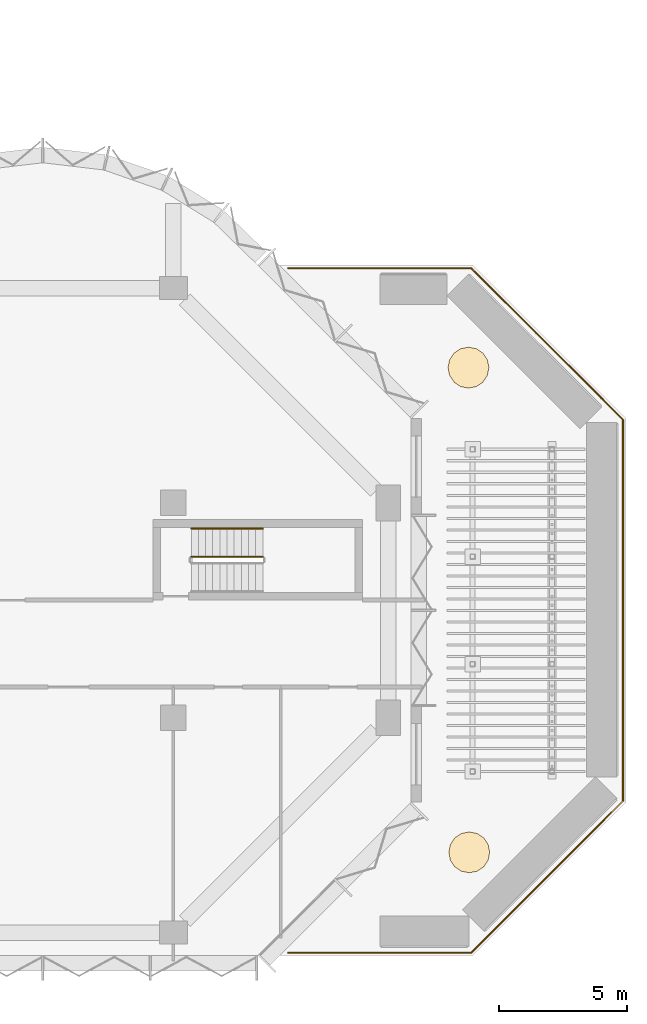
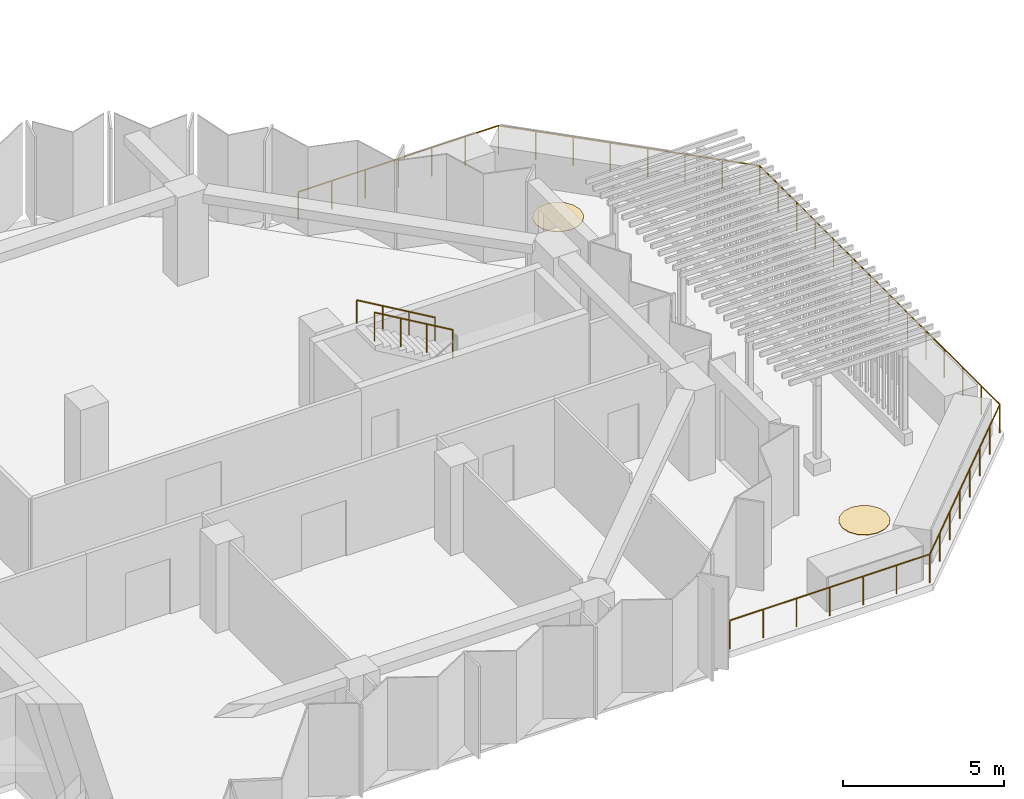
# One storey, part 14 of 14: 4 railings, 2 coverings.
"""IFC4 building model written with IfcOpenShell, lengths in metres."""

from ifc_helpers import new_model, si_unit, direction, frame, origin, origin_2d, place, context, subcontext, project, spatial, polyline, circle, outline, extrude, material, layer, layer_set, type_object, element, save


model = new_model("IFC4")

# Units and contexts
model_context = context("Model", 3, precision=1e-05, world=origin(), true_north=direction((0.0, 1.0)))
body_context = subcontext(model_context, "Body", "Model", "MODEL_VIEW")
ifc_project = project(units=[si_unit("LENGTHUNIT", "METRE"), si_unit("AREAUNIT", "SQUARE_METRE"), si_unit("VOLUMEUNIT", "CUBIC_METRE"), si_unit("PLANEANGLEUNIT", "RADIAN"), si_unit("MASSUNIT", "GRAM", prefix="KILO")], contexts=[model_context])

# Site, building, storey
site_placement = place(None, origin())
site = spatial("IfcSite", under=ifc_project, at=site_placement, CompositionType="ELEMENT")
building_placement = place(site_placement, origin())
building = spatial("IfcBuilding", under=site, at=building_placement, Name="Brevane Broadcast Tower", CompositionType="ELEMENT")
storey_placement = place(building_placement, frame((0.0, 0.0, 184.800048828125)))
storey = spatial("IfcBuildingStorey", under=building, at=storey_placement, Name="L46", CompositionType="ELEMENT", Elevation=184.800048828125)

# Railings
ifc_material_1 = material(Name="Steel S355", Category="steel")
railing_type_1 = type_object("IfcRailingType", Name="Exit stair guard", PredefinedType="GUARDRAIL", material=ifc_material_1)
railing_1_placement = place(storey_placement, frame((45.5, 14.699951171875, 1.963623046875)))
element("IfcRailing", 1, at=railing_1_placement, inside=storey, type_object=railing_type_1, Name="L46 ST-4 stair guard 3", PredefinedType="GUARDRAIL", context=body_context, shape_type="SweptSolid", body=[
    extrude(circle(Radius=0.02392578125, at=origin_2d()), frame((0.0, 0.0, 1.076171875), z_axis=(-0.863393664356, 0.0, 0.504530851732), x_axis=(0.0, -1.0, 0.0)), (0.0, 0.0, 1.0), 3.2431640625),
    extrude(circle(Radius=0.02099609375, at=origin_2d()), origin(), (0.0, 0.0, 1.0), 1.052001953125),
    extrude(circle(Radius=0.02099609375, at=origin_2d()), frame((-0.933349609375, 0.0, 0.54541015625)), (0.0, 0.0, 1.0), 1.052001953125),
    extrude(circle(Radius=0.02099609375, at=origin_2d()), frame((-1.86669921875, 0.0, 1.0908203125)), (0.0, 0.0, 1.0), 1.052001953125),
    extrude(circle(Radius=0.02099609375, at=origin_2d()), frame((-2.800048828125, 0.0, 1.63623046875)), (0.0, 0.0, 1.0), 1.052001953125),
])
railing_type_2 = type_object("IfcRailingType", Name="Exit stair handrail", PredefinedType="HANDRAIL", material=ifc_material_1)
railing_2_placement = place(storey_placement, frame((45.5, 15.800048828125, 1.963623046875)))
element("IfcRailing", 2, at=railing_2_placement, inside=storey, type_object=railing_type_2, Name="L46 ST-4 stair handrail 2", PredefinedType="HANDRAIL", context=body_context, shape_type="SweptSolid", body=[
    extrude(circle(Radius=0.02392578125, at=origin_2d()), frame((0.0, 0.0, 0.8759765625), z_axis=(-0.863393664356, 0.0, 0.504530851732), x_axis=(0.0, -1.0, 0.0)), (0.0, 0.0, 1.0), 3.2431640625),
    extrude(circle(Radius=0.02099609375, at=origin_2d()), origin(), (0.0, 0.0, 1.0), 0.851806640625),
    extrude(circle(Radius=0.02099609375, at=origin_2d()), frame((-0.933349609375, 0.0, 0.54541015625)), (0.0, 0.0, 1.0), 0.851806640625),
    extrude(circle(Radius=0.02099609375, at=origin_2d()), frame((-1.86669921875, 0.0, 1.0908203125)), (0.0, 0.0, 1.0), 0.851806640625),
    extrude(circle(Radius=0.02099609375, at=origin_2d()), frame((-2.800048828125, 0.0, 1.63623046875)), (0.0, 0.0, 1.0), 0.851806640625),
])
ifc_material_2 = material(Name="Stainless steel 1.4404", Category="steel")
railing_type_3 = type_object("IfcRailingType", Name="Terrace guard 1100", PredefinedType="GUARDRAIL", material=ifc_material_2)
railing_3_placement = place(storey_placement, frame((53.650390625, 25.97998046875, 0.0)))
element("IfcRailing", 3, at=railing_3_placement, inside=storey, type_object=railing_type_3, Name="Terrace guard L46-1", PredefinedType="GUARDRAIL", context=body_context, shape_type="SweptSolid", body=[
    extrude(circle(Radius=0.02392578125, at=origin_2d()), frame((0.0, 0.0, 1.076171875), z_axis=(0.707106781187, -0.707106781187, 0.0), x_axis=(0.707106781187, 0.707106781187, 0.0)), (0.0, 0.0, 1.0), 8.3857421875),
    extrude(circle(Radius=0.02392578125, at=origin_2d()), frame((5.9296875, -5.9296875, 1.076171875), z_axis=(0.0, -1.0, 0.0), x_axis=(1.0, 0.0, 0.0)), (0.0, 0.0, 1.0), 14.900634765625),
    extrude(circle(Radius=0.02392578125, at=origin_2d()), frame((5.9296875, -20.830322265625, 1.076171875), z_axis=(-0.707106781187, -0.707106781187, 0.0), x_axis=(0.707106781187, -0.707106781187, 0.0)), (0.0, 0.0, 1.0), 8.3857421875),
    extrude(circle(Radius=0.02392578125, at=origin_2d()), frame((0.0, -26.760009765625, 1.076171875), z_axis=(-1.0, 0.0, 0.0), x_axis=(0.0, -1.0, 0.0)), (0.0, 0.0, 1.0), 7.1650390625),
    extrude(circle(Radius=0.02099609375, at=origin_2d()), origin(), (0.0, 0.0, 1.0), 1.052001953125),
    extrude(circle(Radius=0.02099609375, at=origin_2d()), frame((0.84716796875, -0.84716796875, 0.0)), (0.0, 0.0, 1.0), 1.052001953125),
    extrude(circle(Radius=0.02099609375, at=origin_2d()), frame((1.694091796875, -1.694091796875, 0.0)), (0.0, 0.0, 1.0), 1.052001953125),
    extrude(circle(Radius=0.02099609375, at=origin_2d()), frame((2.541259765625, -2.541259765625, 0.0)), (0.0, 0.0, 1.0), 1.052001953125),
    extrude(circle(Radius=0.02099609375, at=origin_2d()), frame((3.388427734375, -3.388427734375, 0.0)), (0.0, 0.0, 1.0), 1.052001953125),
    extrude(circle(Radius=0.02099609375, at=origin_2d()), frame((4.235595703125, -4.235595703125, 0.0)), (0.0, 0.0, 1.0), 1.052001953125),
    extrude(circle(Radius=0.02099609375, at=origin_2d()), frame((5.08251953125, -5.08251953125, 0.0)), (0.0, 0.0, 1.0), 1.052001953125),
    extrude(circle(Radius=0.02099609375, at=origin_2d()), frame((5.9296875, -5.9296875, 0.0)), (0.0, 0.0, 1.0), 1.052001953125),
    extrude(circle(Radius=0.02099609375, at=origin_2d()), frame((5.9296875, -7.075927734375, 0.0)), (0.0, 0.0, 1.0), 1.052001953125),
    extrude(circle(Radius=0.02099609375, at=origin_2d()), frame((5.9296875, -8.22216796875, 0.0)), (0.0, 0.0, 1.0), 1.052001953125),
    extrude(circle(Radius=0.02099609375, at=origin_2d()), frame((5.9296875, -9.368408203125, 0.0)), (0.0, 0.0, 1.0), 1.052001953125),
    extrude(circle(Radius=0.02099609375, at=origin_2d()), frame((5.9296875, -10.514404296875, 0.0)), (0.0, 0.0, 1.0), 1.052001953125),
    extrude(circle(Radius=0.02099609375, at=origin_2d()), frame((5.9296875, -11.66064453125, 0.0)), (0.0, 0.0, 1.0), 1.052001953125),
    extrude(circle(Radius=0.02099609375, at=origin_2d()), frame((5.9296875, -12.806884765625, 0.0)), (0.0, 0.0, 1.0), 1.052001953125),
    extrude(circle(Radius=0.02099609375, at=origin_2d()), frame((5.9296875, -13.953125, 0.0)), (0.0, 0.0, 1.0), 1.052001953125),
    extrude(circle(Radius=0.02099609375, at=origin_2d()), frame((5.9296875, -15.099365234375, 0.0)), (0.0, 0.0, 1.0), 1.052001953125),
    extrude(circle(Radius=0.02099609375, at=origin_2d()), frame((5.9296875, -16.24560546875, 0.0)), (0.0, 0.0, 1.0), 1.052001953125),
    extrude(circle(Radius=0.02099609375, at=origin_2d()), frame((5.9296875, -17.3916015625, 0.0)), (0.0, 0.0, 1.0), 1.052001953125),
    extrude(circle(Radius=0.02099609375, at=origin_2d()), frame((5.9296875, -18.537841796875, 0.0)), (0.0, 0.0, 1.0), 1.052001953125),
    extrude(circle(Radius=0.02099609375, at=origin_2d()), frame((5.9296875, -19.68408203125, 0.0)), (0.0, 0.0, 1.0), 1.052001953125),
    extrude(circle(Radius=0.02099609375, at=origin_2d()), frame((5.9296875, -20.830322265625, 0.0)), (0.0, 0.0, 1.0), 1.052001953125),
    extrude(circle(Radius=0.02099609375, at=origin_2d()), frame((5.08251953125, -21.677490234375, 0.0)), (0.0, 0.0, 1.0), 1.052001953125),
    extrude(circle(Radius=0.02099609375, at=origin_2d()), frame((4.235595703125, -22.5244140625, 0.0)), (0.0, 0.0, 1.0), 1.052001953125),
    extrude(circle(Radius=0.02099609375, at=origin_2d()), frame((3.388427734375, -23.37158203125, 0.0)), (0.0, 0.0, 1.0), 1.052001953125),
    extrude(circle(Radius=0.02099609375, at=origin_2d()), frame((2.541259765625, -24.21875, 0.0)), (0.0, 0.0, 1.0), 1.052001953125),
    extrude(circle(Radius=0.02099609375, at=origin_2d()), frame((1.694091796875, -25.06591796875, 0.0)), (0.0, 0.0, 1.0), 1.052001953125),
    extrude(circle(Radius=0.02099609375, at=origin_2d()), frame((0.84716796875, -25.912841796875, 0.0)), (0.0, 0.0, 1.0), 1.052001953125),
    extrude(circle(Radius=0.02099609375, at=origin_2d()), frame((0.0, -26.760009765625, 0.0)), (0.0, 0.0, 1.0), 1.052001953125),
    extrude(circle(Radius=0.02099609375, at=origin_2d()), frame((-1.194091796875, -26.760009765625, 0.0)), (0.0, 0.0, 1.0), 1.052001953125),
    extrude(circle(Radius=0.02099609375, at=origin_2d()), frame((-2.388427734375, -26.760009765625, 0.0)), (0.0, 0.0, 1.0), 1.052001953125),
    extrude(circle(Radius=0.02099609375, at=origin_2d()), frame((-3.58251953125, -26.760009765625, 0.0)), (0.0, 0.0, 1.0), 1.052001953125),
    extrude(circle(Radius=0.02099609375, at=origin_2d()), frame((-4.776611328125, -26.760009765625, 0.0)), (0.0, 0.0, 1.0), 1.052001953125),
    extrude(circle(Radius=0.02099609375, at=origin_2d()), frame((-5.970947265625, -26.760009765625, 0.0)), (0.0, 0.0, 1.0), 1.052001953125),
    extrude(circle(Radius=0.02099609375, at=origin_2d()), frame((-7.1650390625, -26.760009765625, 0.0)), (0.0, 0.0, 1.0), 1.052001953125),
])
railing_4_placement = place(storey_placement, frame((46.4853515625, 25.97998046875, 0.0)))
element("IfcRailing", 4, at=railing_4_placement, inside=storey, type_object=railing_type_3, Name="Terrace guard L46-2", PredefinedType="GUARDRAIL", context=body_context, shape_type="SweptSolid", body=[
    extrude(circle(Radius=0.02392578125, at=origin_2d()), frame((0.0, 0.0, 1.076171875), z_axis=(1.0, 0.0, 0.0), x_axis=(0.0, 1.0, 0.0)), (0.0, 0.0, 1.0), 7.1650390625),
    extrude(circle(Radius=0.02099609375, at=origin_2d()), origin(), (0.0, 0.0, 1.0), 1.052001953125),
    extrude(circle(Radius=0.02099609375, at=origin_2d()), frame((1.194091796875, 0.0, 0.0)), (0.0, 0.0, 1.0), 1.052001953125),
    extrude(circle(Radius=0.02099609375, at=origin_2d()), frame((2.388427734375, 0.0, 0.0)), (0.0, 0.0, 1.0), 1.052001953125),
    extrude(circle(Radius=0.02099609375, at=origin_2d()), frame((3.58251953125, 0.0, 0.0)), (0.0, 0.0, 1.0), 1.052001953125),
    extrude(circle(Radius=0.02099609375, at=origin_2d()), frame((4.776611328125, 0.0, 0.0)), (0.0, 0.0, 1.0), 1.052001953125),
    extrude(circle(Radius=0.02099609375, at=origin_2d()), frame((5.970947265625, 0.0, 0.0)), (0.0, 0.0, 1.0), 1.052001953125),
    extrude(circle(Radius=0.02099609375, at=origin_2d()), frame((7.1650390625, 0.0, 0.0)), (0.0, 0.0, 1.0), 1.052001953125),
])

# Coverings
ifc_layer = layer(ifc_material_2, 0.02001953125)
ifc_layer_set = layer_set([ifc_layer], Name="Tree pit grating 20")
covering_type = type_object("IfcCoveringType", Name="Tree pit grating 20", PredefinedType="FLOORING", material=ifc_layer_set)
covering_1_placement = place(storey_placement, origin())
element("IfcCovering", 5, at=covering_1_placement, inside=storey, type_object=covering_type, Name="Tree pit L46-1", PredefinedType="FLOORING", context=body_context, shape_type="SweptSolid", body=[
    extrude(outline(polyline([(54.338623046875, 22.08935546875), (54.27783203125, 22.3955078125), (54.1044921875, 22.655029296875), (53.844970703125, 22.828369140625), (53.538818359375, 22.889404296875), (53.232666015625, 22.828369140625), (52.972900390625, 22.655029296875), (52.799560546875, 22.3955078125), (52.73876953125, 22.08935546875), (52.799560546875, 21.783203125), (52.972900390625, 21.523681640625), (53.232666015625, 21.35009765625), (53.538818359375, 21.289306640625), (53.844970703125, 21.35009765625), (54.1044921875, 21.523681640625), (54.27783203125, 21.783203125), (54.338623046875, 22.08935546875)])), origin(), (0.0, 0.0, 1.0), 0.02001953125),
])
covering_2_placement = place(storey_placement, origin())
element("IfcCovering", 6, at=covering_2_placement, inside=storey, type_object=covering_type, Name="Tree pit L46-2", PredefinedType="FLOORING", context=body_context, shape_type="SweptSolid", body=[
    extrude(outline(polyline([(54.367919921875, 3.139892578125), (54.30712890625, 3.446044921875), (54.1337890625, 3.70556640625), (53.874267578125, 3.879150390625), (53.568115234375, 3.93994140625), (53.261962890625, 3.879150390625), (53.002197265625, 3.70556640625), (52.828857421875, 3.446044921875), (52.76806640625, 3.139892578125), (52.828857421875, 2.833740234375), (53.002197265625, 2.57421875), (53.261962890625, 2.40087890625), (53.568115234375, 2.33984375), (53.874267578125, 2.40087890625), (54.1337890625, 2.57421875), (54.30712890625, 2.833740234375), (54.367919921875, 3.139892578125)])), origin(), (0.0, 0.0, 1.0), 0.02001953125),
])

save(model, "model.ifc")
